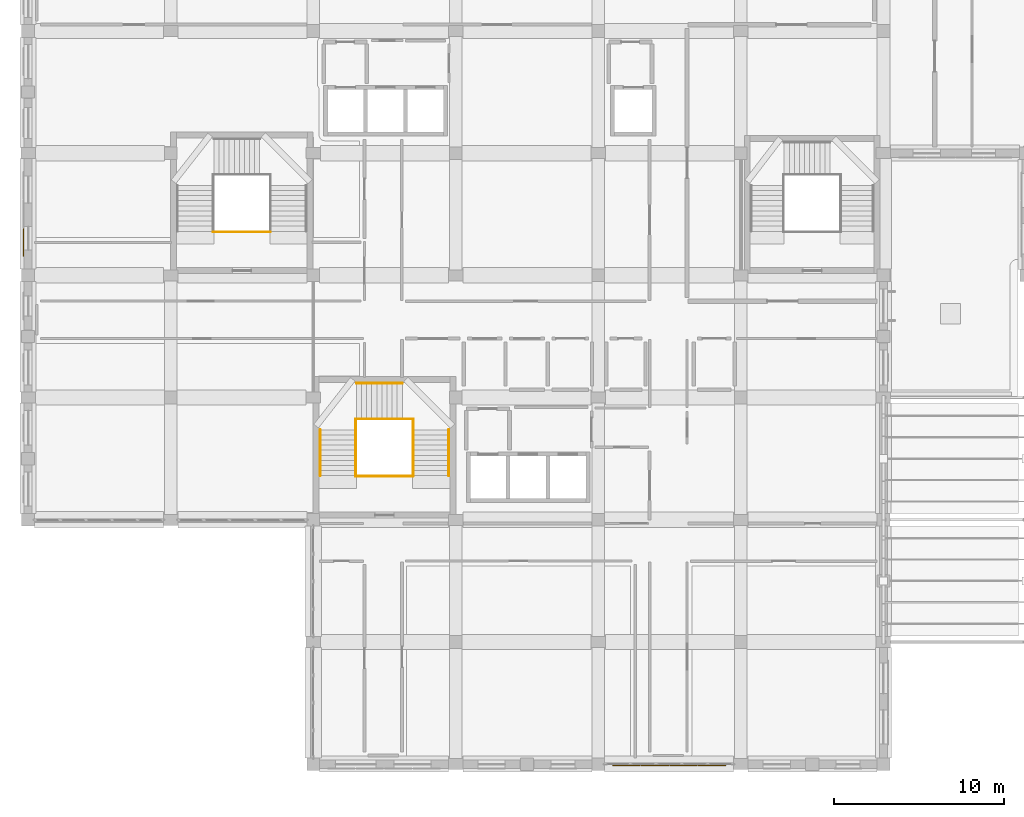
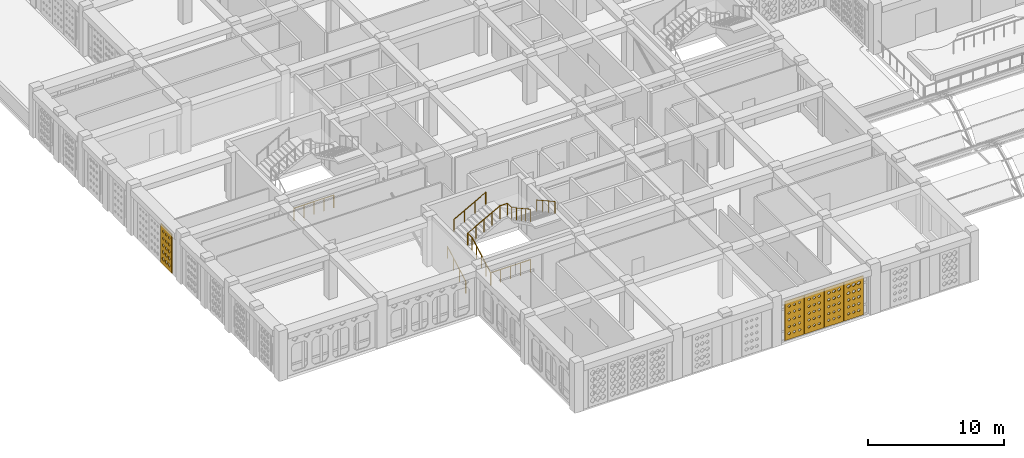
# One storey, part 70 of 100: 8 railings, 5 coverings.
"""IFC4 building model written with IfcOpenShell, lengths in metres."""

from ifc_helpers import new_model, si_unit, derived_unit, direction, frame, origin, origin_2d, place, context, subcontext, project, spatial, polyline, circle, outline, extrude, material, layer, layer_set, type_object, element, save


model = new_model("IFC4")

# Units and contexts
model_context = context("Model", 3, precision=1e-05, world=origin(), true_north=direction((0.0, 1.0)))
body_context = subcontext(model_context, "Body", "Model", "MODEL_VIEW")
ifc_project = project(units=[si_unit("LENGTHUNIT", "METRE"), si_unit("AREAUNIT", "SQUARE_METRE"), si_unit("VOLUMEUNIT", "CUBIC_METRE"), si_unit("PLANEANGLEUNIT", "RADIAN"), si_unit("MASSUNIT", "GRAM", prefix="KILO"), derived_unit("THERMALTRANSMITTANCEUNIT", [(si_unit("POWERUNIT", "WATT"), 1), (si_unit("LENGTHUNIT", "METRE"), -2), (si_unit("THERMODYNAMICTEMPERATUREUNIT", "KELVIN"), -1)])], contexts=[model_context])

# Site, building, storey
site_placement = place(None, origin())
site = spatial("IfcSite", under=ifc_project, at=site_placement, CompositionType="ELEMENT")
building_placement = place(site_placement, origin())
building = spatial("IfcBuilding", under=site, at=building_placement, Name="Veybourne Emporium", CompositionType="ELEMENT")
storey_placement = place(building_placement, frame((0.0, 0.0, 14.39990234375)))
storey = spatial("IfcBuildingStorey", under=building, at=storey_placement, Name="L03", CompositionType="ELEMENT", Elevation=14.39990234375)

# Railings
ifc_material_1 = material(Name="Brushed Stainless Steel", Category="steel")
railing_type_1 = type_object("IfcRailingType", Name="Guard_GR-01", PredefinedType="GUARDRAIL", material=ifc_material_1)
railing_1_placement = place(storey_placement, frame((19.31005859375, 17.0, 0.0)))
element("IfcRailing", 1, at=railing_1_placement, inside=storey, type_object=railing_type_1, Name="L03 ST-01 stair guard 1", PredefinedType="GUARDRAIL", context=body_context, shape_type="SweptSolid", body=[
    extrude(circle(Radius=0.02392578125, at=origin_2d()), frame((0.0, 0.0, 1.1259765625), z_axis=(0.0, 0.87415354758, 0.485649642493), x_axis=(-1.0, 0.0, 0.0)), (0.0, 0.0, 1.0), 3.088623046875),
    extrude(circle(Radius=0.02392578125, at=origin_2d()), frame((0.0, 2.699951171875, 2.6259765625), z_axis=(0.0, 1.0, 0.0), x_axis=(-1.0, 0.0, 0.0)), (0.0, 0.0, 1.0), 0.64013671875),
    extrude(circle(Radius=0.02099609375, at=origin_2d()), origin(), (0.0, 0.0, 1.0), 1.101806640625),
    extrude(circle(Radius=0.02099609375, at=origin_2d()), frame((0.0, 0.675048828125, 0.375)), (0.0, 0.0, 1.0), 1.101806640625),
    extrude(circle(Radius=0.02099609375, at=origin_2d()), frame((0.0, 1.35009765625, 0.75)), (0.0, 0.0, 1.0), 1.101806640625),
    extrude(circle(Radius=0.02099609375, at=origin_2d()), frame((0.0, 2.02490234375, 1.125)), (0.0, 0.0, 1.0), 1.101806640625),
    extrude(circle(Radius=0.02099609375, at=origin_2d()), frame((0.0, 2.699951171875, 1.5)), (0.0, 0.0, 1.0), 1.101806640625),
    extrude(circle(Radius=0.02099609375, at=origin_2d()), frame((0.0, 3.340087890625, 1.5)), (0.0, 0.0, 1.0), 1.101806640625),
])
railing_2_placement = place(storey_placement, frame((19.31005859375, 20.340087890625, 1.5)))
element("IfcRailing", 2, at=railing_2_placement, inside=storey, type_object=railing_type_1, Name="L03 ST-01 stair guard 2", PredefinedType="GUARDRAIL", context=body_context, shape_type="SweptSolid", body=[
    extrude(circle(Radius=0.02392578125, at=origin_2d()), frame((0.0, 0.0, 1.1259765625), z_axis=(0.87715976088, 0.0, 0.480198660861), x_axis=(0.0, 1.0, 0.0)), (0.0, 0.0, 1.0), 3.123779296875),
    extrude(circle(Radius=0.02392578125, at=origin_2d()), frame((2.739990234375, 0.0, 2.6259765625), z_axis=(1.0, 0.0, 0.0), x_axis=(0.0, 1.0, 0.0)), (0.0, 0.0, 1.0), 0.639892578125),
    extrude(circle(Radius=0.02099609375, at=origin_2d()), origin(), (0.0, 0.0, 1.0), 1.101806640625),
    extrude(circle(Radius=0.02099609375, at=origin_2d()), frame((0.68505859375, 0.0, 0.375)), (0.0, 0.0, 1.0), 1.101806640625),
    extrude(circle(Radius=0.02099609375, at=origin_2d()), frame((1.3701171875, 0.0, 0.75)), (0.0, 0.0, 1.0), 1.101806640625),
    extrude(circle(Radius=0.02099609375, at=origin_2d()), frame((2.054931640625, 0.0, 1.125)), (0.0, 0.0, 1.0), 1.101806640625),
    extrude(circle(Radius=0.02099609375, at=origin_2d()), frame((2.739990234375, 0.0, 1.5)), (0.0, 0.0, 1.0), 1.101806640625),
    extrude(circle(Radius=0.02099609375, at=origin_2d()), frame((3.3798828125, 0.0, 1.5)), (0.0, 0.0, 1.0), 1.101806640625),
])
railing_3_placement = place(storey_placement, frame((22.68994140625, 20.340087890625, 3.0)))
element("IfcRailing", 3, at=railing_3_placement, inside=storey, type_object=railing_type_1, Name="L03 ST-01 stair guard 3", PredefinedType="GUARDRAIL", context=body_context, shape_type="SweptSolid", body=[
    extrude(circle(Radius=0.02392578125, at=origin_2d()), frame((0.0, 0.0, 1.1259765625), z_axis=(0.0, -1.0, 0.0), x_axis=(1.0, 0.0, 0.0)), (0.0, 0.0, 1.0), 0.64013671875),
    extrude(circle(Radius=0.02392578125, at=origin_2d()), frame((0.0, -0.64013671875, 1.1259765625), z_axis=(0.0, -0.87415354758, 0.485649642493), x_axis=(1.0, 0.0, 0.0)), (0.0, 0.0, 1.0), 3.088623046875),
    extrude(circle(Radius=0.02099609375, at=origin_2d()), origin(), (0.0, 0.0, 1.0), 1.101806640625),
    extrude(circle(Radius=0.02099609375, at=origin_2d()), frame((0.0, -0.64013671875, 0.0)), (0.0, 0.0, 1.0), 1.101806640625),
    extrude(circle(Radius=0.02099609375, at=origin_2d()), frame((0.0, -1.315185546875, 0.375)), (0.0, 0.0, 1.0), 1.101806640625),
    extrude(circle(Radius=0.02099609375, at=origin_2d()), frame((0.0, -1.990234375, 0.75)), (0.0, 0.0, 1.0), 1.101806640625),
    extrude(circle(Radius=0.02099609375, at=origin_2d()), frame((0.0, -2.6650390625, 1.125)), (0.0, 0.0, 1.0), 1.101806640625),
    extrude(circle(Radius=0.02099609375, at=origin_2d()), frame((0.0, -3.340087890625, 1.5)), (0.0, 0.0, 1.0), 1.101806640625),
])
railing_4_placement = place(storey_placement, frame((19.31005859375, 16.9599609375, 0.0)))
element("IfcRailing", 4, at=railing_4_placement, inside=storey, type_object=railing_type_1, Name="L03 ST-01 stair guard 4", PredefinedType="GUARDRAIL", context=body_context, shape_type="SweptSolid", body=[
    extrude(circle(Radius=0.02392578125, at=origin_2d()), frame((0.0, 0.0, 1.1259765625), z_axis=(1.0, 0.0, 0.0), x_axis=(0.0, 1.0, 0.0)), (0.0, 0.0, 1.0), 3.3798828125),
    extrude(circle(Radius=0.02099609375, at=origin_2d()), origin(), (0.0, 0.0, 1.0), 1.101806640625),
    extrude(circle(Radius=0.02099609375, at=origin_2d()), frame((0.844970703125, 0.0, 0.0)), (0.0, 0.0, 1.0), 1.101806640625),
    extrude(circle(Radius=0.02099609375, at=origin_2d()), frame((1.68994140625, 0.0, 0.0)), (0.0, 0.0, 1.0), 1.101806640625),
    extrude(circle(Radius=0.02099609375, at=origin_2d()), frame((2.534912109375, 0.0, 0.0)), (0.0, 0.0, 1.0), 1.101806640625),
    extrude(circle(Radius=0.02099609375, at=origin_2d()), frame((3.3798828125, 0.0, 0.0)), (0.0, 0.0, 1.0), 1.101806640625),
])
railing_5_placement = place(storey_placement, frame((10.909912109375, 31.360107421875, 0.0)))
element("IfcRailing", 5, at=railing_5_placement, inside=storey, type_object=railing_type_1, Name="L03 ST-02 stair guard 4", PredefinedType="GUARDRAIL", context=body_context, shape_type="SweptSolid", body=[
    extrude(circle(Radius=0.02392578125, at=origin_2d()), frame((0.0, 0.0, 1.1259765625), z_axis=(1.0, 0.0, 0.0), x_axis=(0.0, 1.0, 0.0)), (0.0, 0.0, 1.0), 3.380126953125),
    extrude(circle(Radius=0.02099609375, at=origin_2d()), origin(), (0.0, 0.0, 1.0), 1.101806640625),
    extrude(circle(Radius=0.02099609375, at=origin_2d()), frame((0.844970703125, 0.0, 0.0)), (0.0, 0.0, 1.0), 1.101806640625),
    extrude(circle(Radius=0.02099609375, at=origin_2d()), frame((1.68994140625, 0.0, 0.0)), (0.0, 0.0, 1.0), 1.101806640625),
    extrude(circle(Radius=0.02099609375, at=origin_2d()), frame((2.53515625, 0.0, 0.0)), (0.0, 0.0, 1.0), 1.101806640625),
    extrude(circle(Radius=0.02099609375, at=origin_2d()), frame((3.380126953125, 0.0, 0.0)), (0.0, 0.0, 1.0), 1.101806640625),
])
railing_type_2 = type_object("IfcRailingType", Name="Handrail_HR-01", PredefinedType="HANDRAIL", material=ifc_material_1)
railing_6_placement = place(storey_placement, frame((17.2099609375, 17.0, 0.150146484375)))
element("IfcRailing", 6, at=railing_6_placement, inside=storey, type_object=railing_type_2, Name="L03 ST-01 pitch handrail 1", PredefinedType="HANDRAIL", context=body_context, shape_type="SweptSolid", body=[
    extrude(circle(Radius=0.02392578125, at=origin_2d()), frame((0.0, 0.0, 0.92578125), z_axis=(0.0, 0.87415354758, 0.485649642493), x_axis=(-1.0, 0.0, 0.0)), (0.0, 0.0, 1.0), 3.088623046875),
    extrude(circle(Radius=0.02099609375, at=origin_2d()), frame((0.0, 0.0, -0.14990234375)), (0.0, 0.0, 1.0), 1.0517578125),
    extrude(circle(Radius=0.02099609375, at=origin_2d()), frame((0.0, 0.89990234375, 0.35009765625)), (0.0, 0.0, 1.0), 1.0517578125),
    extrude(circle(Radius=0.02099609375, at=origin_2d()), frame((0.0, 1.800048828125, 0.85009765625)), (0.0, 0.0, 1.0), 1.0517578125),
    extrude(circle(Radius=0.02099609375, at=origin_2d()), frame((0.0, 2.699951171875, 1.35009765625)), (0.0, 0.0, 1.0), 1.0517578125),
])
railing_7_placement = place(storey_placement, frame((19.35009765625, 22.43994140625, 1.650146484375)))
element("IfcRailing", 7, at=railing_7_placement, inside=storey, type_object=railing_type_2, Name="L03 ST-01 pitch handrail 2", PredefinedType="HANDRAIL", context=body_context, shape_type="SweptSolid", body=[
    extrude(circle(Radius=0.02392578125, at=origin_2d()), frame((0.0, 0.0, 0.92578125), z_axis=(0.87415354758, 0.0, 0.485649642493), x_axis=(0.0, 1.0, 0.0)), (0.0, 0.0, 1.0), 3.088623046875),
    extrude(circle(Radius=0.02099609375, at=origin_2d()), frame((0.0, 0.0, -0.14990234375)), (0.0, 0.0, 1.0), 1.0517578125),
    extrude(circle(Radius=0.02099609375, at=origin_2d()), frame((0.89990234375, 0.0, 0.35009765625)), (0.0, 0.0, 1.0), 1.0517578125),
    extrude(circle(Radius=0.02099609375, at=origin_2d()), frame((1.800048828125, 0.0, 0.85009765625)), (0.0, 0.0, 1.0), 1.0517578125),
    extrude(circle(Radius=0.02099609375, at=origin_2d()), frame((2.699951171875, 0.0, 1.35009765625)), (0.0, 0.0, 1.0), 1.0517578125),
])
railing_8_placement = place(storey_placement, frame((24.7900390625, 19.699951171875, 3.150146484375)))
element("IfcRailing", 8, at=railing_8_placement, inside=storey, type_object=railing_type_2, Name="L03 ST-01 pitch handrail 3", PredefinedType="HANDRAIL", context=body_context, shape_type="SweptSolid", body=[
    extrude(circle(Radius=0.02392578125, at=origin_2d()), frame((0.0, 0.0, 0.92578125), z_axis=(0.0, -0.87415354758, 0.485649642493), x_axis=(1.0, 0.0, 0.0)), (0.0, 0.0, 1.0), 3.088623046875),
    extrude(circle(Radius=0.02099609375, at=origin_2d()), frame((0.0, 0.0, -0.14990234375)), (0.0, 0.0, 1.0), 1.0517578125),
    extrude(circle(Radius=0.02099609375, at=origin_2d()), frame((0.0, -0.89990234375, 0.35009765625)), (0.0, 0.0, 1.0), 1.0517578125),
    extrude(circle(Radius=0.02099609375, at=origin_2d()), frame((0.0, -1.800048828125, 0.85009765625)), (0.0, 0.0, 1.0), 1.0517578125),
    extrude(circle(Radius=0.02099609375, at=origin_2d()), frame((0.0, -2.699951171875, 1.35009765625)), (0.0, 0.0, 1.0), 1.0517578125),
])

# Coverings
ifc_material_2 = material(Name="Warm-White Perforated Aluminium Screen Alloy", Category="aluminium")
ifc_layer_1 = layer(ifc_material_2, 0.06005859375)
ifc_layer_set_1 = layer_set([ifc_layer_1], Name="Warm-White Perforated Aluminium Screen Alloy")
covering_type_1 = type_object("IfcCoveringType", Name="WaveScreen_SCR-01", PredefinedType="CLADDING", material=ifc_layer_set_1)
covering_1_placement = place(storey_placement, frame((-0.298095703125, 30.7451171875, 1.815185546875), z_axis=(1.0, 0.0, 0.0), x_axis=(0.0, 1.0, 0.0)))
element("IfcCovering", 9, at=covering_1_placement, inside=storey, type_object=covering_type_1, Name="L03 wave-perforated aluminium screen SCR-01 (4.1)", PredefinedType="CLADDING", context=body_context, shape_type="SweptSolid", body=[
    extrude(outline(polyline([(-0.81982421875, -1.7548828125), (0.81982421875, -1.7548828125), (0.81982421875, 1.7548828125), (-0.81982421875, 1.7548828125), (-0.81982421875, -1.7548828125)]), holes=[polyline([(-0.433349609375, -1.05029296875), (-0.27783203125, -1.1640625), (-0.27783203125, -1.2919921875), (-0.433349609375, -1.40576171875), (-0.5888671875, -1.2919921875), (-0.5888671875, -1.1640625), (-0.433349609375, -1.05029296875)]), polyline([(-0.433349609375, -0.449951171875), (-0.2890625, -0.554931640625), (-0.2890625, -0.673095703125), (-0.433349609375, -0.778076171875), (-0.57763671875, -0.673095703125), (-0.57763671875, -0.554931640625), (-0.433349609375, -0.449951171875)]), polyline([(-0.433349609375, 0.1513671875), (-0.299560546875, 0.054443359375), (-0.299560546875, -0.054443359375), (-0.433349609375, -0.1513671875), (-0.567138671875, -0.054443359375), (-0.567138671875, 0.054443359375), (-0.433349609375, 0.1513671875)]), polyline([(-0.433349609375, 0.753662109375), (-0.30908203125, 0.664306640625), (-0.30908203125, 0.563720703125), (-0.433349609375, 0.474365234375), (-0.5576171875, 0.563720703125), (-0.5576171875, 0.664306640625), (-0.433349609375, 0.753662109375)]), polyline([(-0.433349609375, 1.357666015625), (-0.3173828125, 1.274658203125), (-0.3173828125, 1.181396484375), (-0.433349609375, 1.098388671875), (-0.54931640625, 1.181396484375), (-0.54931640625, 1.274658203125), (-0.433349609375, 1.357666015625)]), polyline([(0.0, -1.056396484375), (0.150390625, -1.166259765625), (0.150390625, -1.289794921875), (0.0, -1.3994140625), (-0.150390625, -1.289794921875), (-0.150390625, -1.166259765625), (0.0, -1.056396484375)]), polyline([(0.0, -0.455810546875), (0.139404296875, -0.55712890625), (0.139404296875, -0.6708984375), (0.0, -0.772216796875), (-0.139404296875, -0.6708984375), (-0.139404296875, -0.55712890625), (0.0, -0.455810546875)]), polyline([(0.0, 0.145751953125), (0.12939453125, 0.052490234375), (0.12939453125, -0.052490234375), (0.0, -0.145751953125), (-0.12939453125, -0.052490234375), (-0.12939453125, 0.052490234375), (0.0, 0.145751953125)]), polyline([(0.0, 0.748779296875), (0.120361328125, 0.66259765625), (0.120361328125, 0.5654296875), (0.0, 0.47900390625), (-0.120361328125, 0.5654296875), (-0.120361328125, 0.66259765625), (0.0, 0.748779296875)]), polyline([(0.0, 1.353515625), (0.11279296875, 1.273193359375), (0.11279296875, 1.182861328125), (0.0, 1.102294921875), (-0.11279296875, 1.182861328125), (-0.11279296875, 1.273193359375), (0.0, 1.353515625)]), polyline([(0.433349609375, -1.062744140625), (0.57861328125, -1.16845703125), (0.57861328125, -1.28759765625), (0.433349609375, -1.393310546875), (0.2880859375, -1.28759765625), (0.2880859375, -1.16845703125), (0.433349609375, -1.062744140625)]), polyline([(0.433349609375, -0.461669921875), (0.568115234375, -0.55908203125), (0.568115234375, -0.6689453125), (0.433349609375, -0.766357421875), (0.298583984375, -0.6689453125), (0.298583984375, -0.55908203125), (0.433349609375, -0.461669921875)]), polyline([(0.433349609375, 0.140625), (0.558349609375, 0.050537109375), (0.558349609375, -0.050537109375), (0.433349609375, -0.140625), (0.30810546875, -0.050537109375), (0.30810546875, 0.050537109375), (0.433349609375, 0.140625)]), polyline([(0.433349609375, 0.744384765625), (0.550048828125, 0.660888671875), (0.550048828125, 0.56689453125), (0.433349609375, 0.4833984375), (0.316650390625, 0.56689453125), (0.316650390625, 0.660888671875), (0.433349609375, 0.744384765625)]), polyline([(0.433349609375, 1.35009765625), (0.543212890625, 1.27197265625), (0.543212890625, 1.18408203125), (0.433349609375, 1.10595703125), (0.323486328125, 1.18408203125), (0.323486328125, 1.27197265625), (0.433349609375, 1.35009765625)])]), origin(), (0.0, 0.0, 1.0), 0.06005859375),
])
covering_2_placement = place(storey_placement, frame((35.2548828125, -0.093994140625, 1.815185546875), z_axis=(0.0, 1.0, 0.0), x_axis=(-1.0, 0.0, 0.0)))
element("IfcCovering", 10, at=covering_2_placement, inside=storey, type_object=covering_type_1, Name="L03 wave-perforated aluminium screen SCR-01 (21C.4)", PredefinedType="CLADDING", context=body_context, shape_type="SweptSolid", body=[
    extrude(outline(polyline([(-0.81982421875, -1.7548828125), (0.81982421875, -1.7548828125), (0.81982421875, 1.7548828125), (-0.81982421875, 1.7548828125), (-0.81982421875, -1.7548828125)]), holes=[polyline([(-0.433349609375, -1.11181640625), (-0.328369140625, -1.186279296875), (-0.328369140625, -1.269775390625), (-0.433349609375, -1.343994140625), (-0.538330078125, -1.269775390625), (-0.538330078125, -1.186279296875), (-0.433349609375, -1.11181640625)]), polyline([(-0.433349609375, -0.502197265625), (-0.331787109375, -0.57373046875), (-0.331787109375, -0.654296875), (-0.433349609375, -0.725830078125), (-0.534912109375, -0.654296875), (-0.534912109375, -0.57373046875), (-0.433349609375, -0.502197265625)]), polyline([(-0.433349609375, 0.110107421875), (-0.333251953125, 0.03955078125), (-0.333251953125, -0.03955078125), (-0.433349609375, -0.110107421875), (-0.533447265625, -0.03955078125), (-0.533447265625, 0.03955078125), (-0.433349609375, 0.110107421875)]), polyline([(-0.433349609375, 0.724609375), (-0.332763671875, 0.65380859375), (-0.332763671875, 0.57421875), (-0.433349609375, 0.50341796875), (-0.533935546875, 0.57421875), (-0.533935546875, 0.65380859375), (-0.433349609375, 0.724609375)]), polyline([(-0.433349609375, 1.341796875), (-0.330322265625, 1.268798828125), (-0.330322265625, 1.18701171875), (-0.433349609375, 1.1142578125), (-0.536376953125, 1.18701171875), (-0.536376953125, 1.268798828125), (-0.433349609375, 1.341796875)]), polyline([(0.0, -1.109130859375), (0.107177734375, -1.185302734375), (0.107177734375, -1.270751953125), (0.0, -1.3466796875), (-0.107177734375, -1.270751953125), (-0.107177734375, -1.185302734375), (0.0, -1.109130859375)]), polyline([(0.0, -0.50048828125), (0.102783203125, -0.572998046875), (0.102783203125, -0.65478515625), (0.0, -0.7275390625), (-0.102783203125, -0.65478515625), (-0.102783203125, -0.572998046875), (0.0, -0.50048828125)]), polyline([(0.0, 0.110595703125), (0.1005859375, 0.039794921875), (0.1005859375, -0.039794921875), (0.0, -0.110595703125), (-0.1005859375, -0.039794921875), (-0.1005859375, 0.039794921875), (0.0, 0.110595703125)]), polyline([(0.0, 0.72412109375), (0.10009765625, 0.653564453125), (0.10009765625, 0.574462890625), (0.0, 0.50390625), (-0.10009765625, 0.574462890625), (-0.10009765625, 0.653564453125), (0.0, 0.72412109375)]), polyline([(0.0, 1.340087890625), (0.101806640625, 1.268310546875), (0.101806640625, 1.187744140625), (0.0, 1.115966796875), (-0.101806640625, 1.187744140625), (-0.101806640625, 1.268310546875), (0.0, 1.340087890625)]), polyline([(0.433349609375, -1.106201171875), (0.54296875, -1.18408203125), (0.54296875, -1.27197265625), (0.433349609375, -1.349853515625), (0.323486328125, -1.27197265625), (0.323486328125, -1.18408203125), (0.433349609375, -1.106201171875)]), polyline([(0.433349609375, -0.498291015625), (0.537841796875, -0.572509765625), (0.537841796875, -0.655517578125), (0.433349609375, -0.7294921875), (0.32861328125, -0.655517578125), (0.32861328125, -0.572509765625), (0.433349609375, -0.498291015625)]), polyline([(0.433349609375, 0.111572265625), (0.53466796875, 0.040283203125), (0.53466796875, -0.040283203125), (0.433349609375, -0.111572265625), (0.33203125, -0.040283203125), (0.33203125, 0.040283203125), (0.433349609375, 0.111572265625)]), polyline([(0.433349609375, 0.72412109375), (0.533447265625, 0.653564453125), (0.533447265625, 0.574462890625), (0.433349609375, 0.50390625), (0.333251953125, 0.574462890625), (0.333251953125, 0.653564453125), (0.433349609375, 0.72412109375)]), polyline([(0.433349609375, 1.3388671875), (0.533935546875, 1.267822265625), (0.533935546875, 1.18798828125), (0.433349609375, 1.1171875), (0.33251953125, 1.18798828125), (0.33251953125, 1.267822265625), (0.433349609375, 1.3388671875)])]), origin(), (0.0, 0.0, 1.0), 0.06005859375),
])
ifc_layer_2 = layer(ifc_material_2, 0.06005859375)
ifc_layer_set_2 = layer_set([ifc_layer_2], Name="Warm-White Perforated Aluminium Screen Alloy")
covering_type_2 = type_object("IfcCoveringType", Name="WaveScreen_SCR-02", PredefinedType="CLADDING", material=ifc_layer_set_2)
covering_3_placement = place(storey_placement, frame((40.294921875, -0.093994140625, 1.815185546875), z_axis=(0.0, 1.0, 0.0), x_axis=(-1.0, 0.0, 0.0)))
element("IfcCovering", 11, at=covering_3_placement, inside=storey, type_object=covering_type_2, Name="L03 wave-perforated aluminium screen SCR-02 (21C.1)", PredefinedType="CLADDING", context=body_context, shape_type="SweptSolid", body=[
    extrude(outline(polyline([(-0.81982421875, -1.7548828125), (0.81982421875, -1.7548828125), (0.81982421875, 1.7548828125), (-0.81982421875, 1.7548828125), (-0.81982421875, -1.7548828125)]), holes=[polyline([(-0.433349609375, -1.107177734375), (-0.324462890625, -1.1845703125), (-0.324462890625, -1.271484375), (-0.433349609375, -1.348876953125), (-0.542236328125, -1.271484375), (-0.542236328125, -1.1845703125), (-0.433349609375, -1.107177734375)]), polyline([(-0.433349609375, -0.485107421875), (-0.31787109375, -0.567626953125), (-0.31787109375, -0.660400390625), (-0.433349609375, -0.742919921875), (-0.548828125, -0.660400390625), (-0.548828125, -0.567626953125), (-0.433349609375, -0.485107421875)]), polyline([(-0.433349609375, 0.138916015625), (-0.309814453125, 0.050048828125), (-0.309814453125, -0.050048828125), (-0.433349609375, -0.138916015625), (-0.556884765625, -0.050048828125), (-0.556884765625, 0.050048828125), (-0.433349609375, 0.138916015625)]), polyline([(-0.433349609375, 0.764404296875), (-0.30029296875, 0.668212890625), (-0.30029296875, 0.559814453125), (-0.433349609375, 0.46337890625), (-0.56640625, 0.559814453125), (-0.56640625, 0.668212890625), (-0.433349609375, 0.764404296875)]), polyline([(-0.433349609375, 1.39111328125), (-0.289794921875, 1.286865234375), (-0.289794921875, 1.169189453125), (-0.433349609375, 1.064697265625), (-0.576904296875, 1.169189453125), (-0.576904296875, 1.286865234375), (-0.433349609375, 1.39111328125)]), polyline([(0.0, -1.110107421875), (0.1064453125, -1.185546875), (0.1064453125, -1.2705078125), (0.0, -1.345947265625), (-0.1064453125, -1.2705078125), (-0.1064453125, -1.185546875), (0.0, -1.110107421875)]), polyline([(0.0, -0.489013671875), (0.1123046875, -0.569091796875), (0.1123046875, -0.658935546875), (0.0, -0.739013671875), (-0.1123046875, -0.658935546875), (-0.1123046875, -0.569091796875), (0.0, -0.489013671875)]), polyline([(0.0, 0.13427734375), (0.119873046875, 0.04833984375), (0.119873046875, -0.04833984375), (0.0, -0.13427734375), (-0.119873046875, -0.04833984375), (-0.119873046875, 0.04833984375), (0.0, 0.13427734375)]), polyline([(0.0, 0.759033203125), (0.128662109375, 0.666259765625), (0.128662109375, 0.561767578125), (0.0, 0.468994140625), (-0.128662109375, 0.561767578125), (-0.128662109375, 0.666259765625), (0.0, 0.759033203125)]), polyline([(0.0, 1.38525390625), (0.138671875, 1.28466796875), (0.138671875, 1.17138671875), (0.0, 1.07080078125), (-0.138671875, 1.17138671875), (-0.138671875, 1.28466796875), (0.0, 1.38525390625)]), polyline([(0.433349609375, -1.112548828125), (0.537841796875, -1.1865234375), (0.537841796875, -1.26953125), (0.433349609375, -1.343505859375), (0.328857421875, -1.26953125), (0.328857421875, -1.1865234375), (0.433349609375, -1.112548828125)]), polyline([(0.433349609375, -0.492431640625), (0.542724609375, -0.5703125), (0.542724609375, -0.65771484375), (0.433349609375, -0.735595703125), (0.323974609375, -0.65771484375), (0.323974609375, -0.5703125), (0.433349609375, -0.492431640625)]), polyline([(0.433349609375, 0.1298828125), (0.549560546875, 0.046630859375), (0.549560546875, -0.046630859375), (0.433349609375, -0.1298828125), (0.317138671875, -0.046630859375), (0.317138671875, 0.046630859375), (0.433349609375, 0.1298828125)]), polyline([(0.433349609375, 0.75390625), (0.557861328125, 0.664306640625), (0.557861328125, 0.563720703125), (0.433349609375, 0.47412109375), (0.308837890625, 0.563720703125), (0.308837890625, 0.664306640625), (0.433349609375, 0.75390625)]), polyline([(0.433349609375, 1.379638671875), (0.5673828125, 1.28271484375), (0.5673828125, 1.17333984375), (0.433349609375, 1.076416015625), (0.29931640625, 1.17333984375), (0.29931640625, 1.28271484375), (0.433349609375, 1.379638671875)])]), origin(), (0.0, 0.0, 1.0), 0.06005859375),
])
ifc_layer_3 = layer(ifc_material_2, 0.06005859375)
ifc_layer_set_3 = layer_set([ifc_layer_3], Name="Warm-White Perforated Aluminium Screen Alloy")
covering_type_3 = type_object("IfcCoveringType", Name="WaveScreen_SCR-03", PredefinedType="CLADDING", material=ifc_layer_set_3)
covering_4_placement = place(storey_placement, frame((38.614990234375, -0.093994140625, 1.815185546875), z_axis=(0.0, 1.0, 0.0), x_axis=(-1.0, 0.0, 0.0)))
element("IfcCovering", 12, at=covering_4_placement, inside=storey, type_object=covering_type_3, Name="L03 wave-perforated aluminium screen SCR-03 (21C.2)", PredefinedType="CLADDING", context=body_context, shape_type="SweptSolid", body=[
    extrude(outline(polyline([(-0.81982421875, -1.7548828125), (0.81982421875, -1.7548828125), (0.81982421875, 1.7548828125), (-0.81982421875, 1.7548828125), (-0.81982421875, -1.7548828125)]), holes=[polyline([(-0.433349609375, -1.115966796875), (-0.331787109375, -1.187744140625), (-0.331787109375, -1.268310546875), (-0.433349609375, -1.340087890625), (-0.534912109375, -1.268310546875), (-0.534912109375, -1.187744140625), (-0.433349609375, -1.115966796875)]), polyline([(-0.433349609375, -0.497802734375), (-0.328369140625, -0.572265625), (-0.328369140625, -0.65576171875), (-0.433349609375, -0.730224609375), (-0.538330078125, -0.65576171875), (-0.538330078125, -0.572265625), (-0.433349609375, -0.497802734375)]), polyline([(-0.433349609375, 0.122802734375), (-0.322998046875, 0.044189453125), (-0.322998046875, -0.044189453125), (-0.433349609375, -0.122802734375), (-0.543701171875, -0.044189453125), (-0.543701171875, 0.044189453125), (-0.433349609375, 0.122802734375)]), polyline([(-0.433349609375, 0.7451171875), (-0.31591796875, 0.6611328125), (-0.31591796875, 0.56689453125), (-0.433349609375, 0.48291015625), (-0.55078125, 0.56689453125), (-0.55078125, 0.6611328125), (-0.433349609375, 0.7451171875)]), polyline([(-0.433349609375, 1.36962890625), (-0.3076171875, 1.279052734375), (-0.3076171875, 1.177001953125), (-0.433349609375, 1.08642578125), (-0.55908203125, 1.177001953125), (-0.55908203125, 1.279052734375), (-0.433349609375, 1.36962890625)]), polyline([(0.0, -1.1171875), (0.1005859375, -1.18798828125), (0.1005859375, -1.267822265625), (0.0, -1.3388671875), (-0.1005859375, -1.267822265625), (-0.1005859375, -1.18798828125), (0.0, -1.1171875)]), polyline([(0.0, -0.5), (0.103271484375, -0.572998046875), (0.103271484375, -0.655029296875), (0.0, -0.72802734375), (-0.103271484375, -0.655029296875), (-0.103271484375, -0.572998046875), (0.0, -0.5)]), polyline([(0.0, 0.119384765625), (0.107666015625, 0.04296875), (0.107666015625, -0.04296875), (0.0, -0.119384765625), (-0.107666015625, -0.04296875), (-0.107666015625, 0.04296875), (0.0, 0.119384765625)]), polyline([(0.0, 0.7412109375), (0.114013671875, 0.659912109375), (0.114013671875, 0.568115234375), (0.0, 0.48681640625), (-0.114013671875, 0.568115234375), (-0.114013671875, 0.659912109375), (0.0, 0.7412109375)]), polyline([(0.0, 1.36474609375), (0.121826171875, 1.277099609375), (0.121826171875, 1.1787109375), (0.0, 1.09130859375), (-0.121826171875, 1.1787109375), (-0.121826171875, 1.277099609375), (0.0, 1.36474609375)]), polyline([(0.433349609375, -1.117919921875), (0.533447265625, -1.188232421875), (0.533447265625, -1.267578125), (0.433349609375, -1.338134765625), (0.333251953125, -1.267578125), (0.333251953125, -1.188232421875), (0.433349609375, -1.117919921875)]), polyline([(0.433349609375, -0.501708984375), (0.53515625, -0.573486328125), (0.53515625, -0.654296875), (0.433349609375, -0.726318359375), (0.33154296875, -0.654296875), (0.33154296875, -0.573486328125), (0.433349609375, -0.501708984375)]), polyline([(0.433349609375, 0.11669921875), (0.538818359375, 0.0419921875), (0.538818359375, -0.0419921875), (0.433349609375, -0.11669921875), (0.327880859375, -0.0419921875), (0.327880859375, 0.0419921875), (0.433349609375, 0.11669921875)]), polyline([(0.433349609375, 0.7373046875), (0.544189453125, 0.658447265625), (0.544189453125, 0.569580078125), (0.433349609375, 0.490478515625), (0.322509765625, 0.569580078125), (0.322509765625, 0.658447265625), (0.433349609375, 0.7373046875)]), polyline([(0.433349609375, 1.360107421875), (0.551513671875, 1.275634765625), (0.551513671875, 1.180419921875), (0.433349609375, 1.095947265625), (0.315185546875, 1.180419921875), (0.315185546875, 1.275634765625), (0.433349609375, 1.360107421875)])]), origin(), (0.0, 0.0, 1.0), 0.06005859375),
])
ifc_layer_4 = layer(ifc_material_2, 0.06005859375)
ifc_layer_set_4 = layer_set([ifc_layer_4], Name="Warm-White Perforated Aluminium Screen Alloy")
covering_type_4 = type_object("IfcCoveringType", Name="WaveScreen_SCR-04", PredefinedType="CLADDING", material=ifc_layer_set_4)
covering_5_placement = place(storey_placement, frame((36.93505859375, -0.093994140625, 1.815185546875), z_axis=(0.0, 1.0, 0.0), x_axis=(-1.0, 0.0, 0.0)))
element("IfcCovering", 13, at=covering_5_placement, inside=storey, type_object=covering_type_4, Name="L03 wave-perforated aluminium screen SCR-04 (21C.3)", PredefinedType="CLADDING", context=body_context, shape_type="SweptSolid", body=[
    extrude(outline(polyline([(-0.81982421875, -1.7548828125), (0.81982421875, -1.7548828125), (0.81982421875, 1.7548828125), (-0.81982421875, 1.7548828125), (-0.81982421875, -1.7548828125)]), holes=[polyline([(-0.433349609375, -1.11767578125), (-0.3330078125, -1.188232421875), (-0.3330078125, -1.267578125), (-0.433349609375, -1.33837890625), (-0.53369140625, -1.267578125), (-0.53369140625, -1.188232421875), (-0.433349609375, -1.11767578125)]), polyline([(-0.433349609375, -0.503662109375), (-0.3330078125, -0.57421875), (-0.3330078125, -0.65380859375), (-0.433349609375, -0.724365234375), (-0.53369140625, -0.65380859375), (-0.53369140625, -0.57421875), (-0.433349609375, -0.503662109375)]), polyline([(-0.433349609375, 0.11279296875), (-0.3310546875, 0.04052734375), (-0.3310546875, -0.04052734375), (-0.433349609375, -0.11279296875), (-0.53564453125, -0.04052734375), (-0.53564453125, 0.04052734375), (-0.433349609375, 0.11279296875)]), polyline([(-0.433349609375, 0.731689453125), (-0.3271484375, 0.65625), (-0.3271484375, 0.57177734375), (-0.433349609375, 0.496337890625), (-0.53955078125, 0.57177734375), (-0.53955078125, 0.65625), (-0.433349609375, 0.731689453125)]), polyline([(-0.433349609375, 1.3525390625), (-0.3212890625, 1.272705078125), (-0.3212890625, 1.18310546875), (-0.433349609375, 1.103515625), (-0.545166015625, 1.18310546875), (-0.545166015625, 1.272705078125), (-0.433349609375, 1.3525390625)]), polyline([(0.0, -1.116943359375), (0.100830078125, -1.18798828125), (0.100830078125, -1.26806640625), (0.0, -1.339111328125), (-0.100830078125, -1.26806640625), (-0.100830078125, -1.18798828125), (0.0, -1.116943359375)]), polyline([(0.0, -0.50390625), (0.10009765625, -0.574462890625), (0.10009765625, -0.653564453125), (0.0, -0.72412109375), (-0.10009765625, -0.653564453125), (-0.10009765625, -0.574462890625), (0.0, -0.50390625)]), polyline([(0.0, 0.111328125), (0.10107421875, 0.0400390625), (0.10107421875, -0.0400390625), (0.0, -0.111328125), (-0.10107421875, -0.0400390625), (-0.10107421875, 0.0400390625), (0.0, 0.111328125)]), polyline([(0.0, 0.72900390625), (0.104248046875, 0.655517578125), (0.104248046875, 0.572509765625), (0.0, 0.498779296875), (-0.104248046875, 0.572509765625), (-0.104248046875, 0.655517578125), (0.0, 0.72900390625)]), polyline([(0.0, 1.34912109375), (0.109130859375, 1.271484375), (0.109130859375, 1.184326171875), (0.0, 1.10693359375), (-0.109130859375, 1.184326171875), (-0.109130859375, 1.271484375), (0.0, 1.34912109375)]), polyline([(0.433349609375, -1.115478515625), (0.535400390625, -1.1875), (0.535400390625, -1.2685546875), (0.433349609375, -1.34033203125), (0.331298828125, -1.2685546875), (0.331298828125, -1.1875), (0.433349609375, -1.115478515625)]), polyline([(0.433349609375, -0.50390625), (0.533447265625, -0.57421875), (0.533447265625, -0.65380859375), (0.433349609375, -0.72412109375), (0.333251953125, -0.65380859375), (0.333251953125, -0.57421875), (0.433349609375, -0.50390625)]), polyline([(0.433349609375, 0.1103515625), (0.53369140625, 0.039794921875), (0.53369140625, -0.039794921875), (0.433349609375, -0.1103515625), (0.3330078125, -0.039794921875), (0.3330078125, 0.039794921875), (0.433349609375, 0.1103515625)]), polyline([(0.433349609375, 0.72705078125), (0.535888671875, 0.65478515625), (0.535888671875, 0.5732421875), (0.433349609375, 0.5009765625), (0.330810546875, 0.5732421875), (0.330810546875, 0.65478515625), (0.433349609375, 0.72705078125)]), polyline([(0.433349609375, 1.34619140625), (0.5400390625, 1.2705078125), (0.5400390625, 1.185546875), (0.433349609375, 1.10986328125), (0.32666015625, 1.185546875), (0.32666015625, 1.2705078125), (0.433349609375, 1.34619140625)])]), origin(), (0.0, 0.0, 1.0), 0.06005859375),
])

save(model, "model.ifc")
